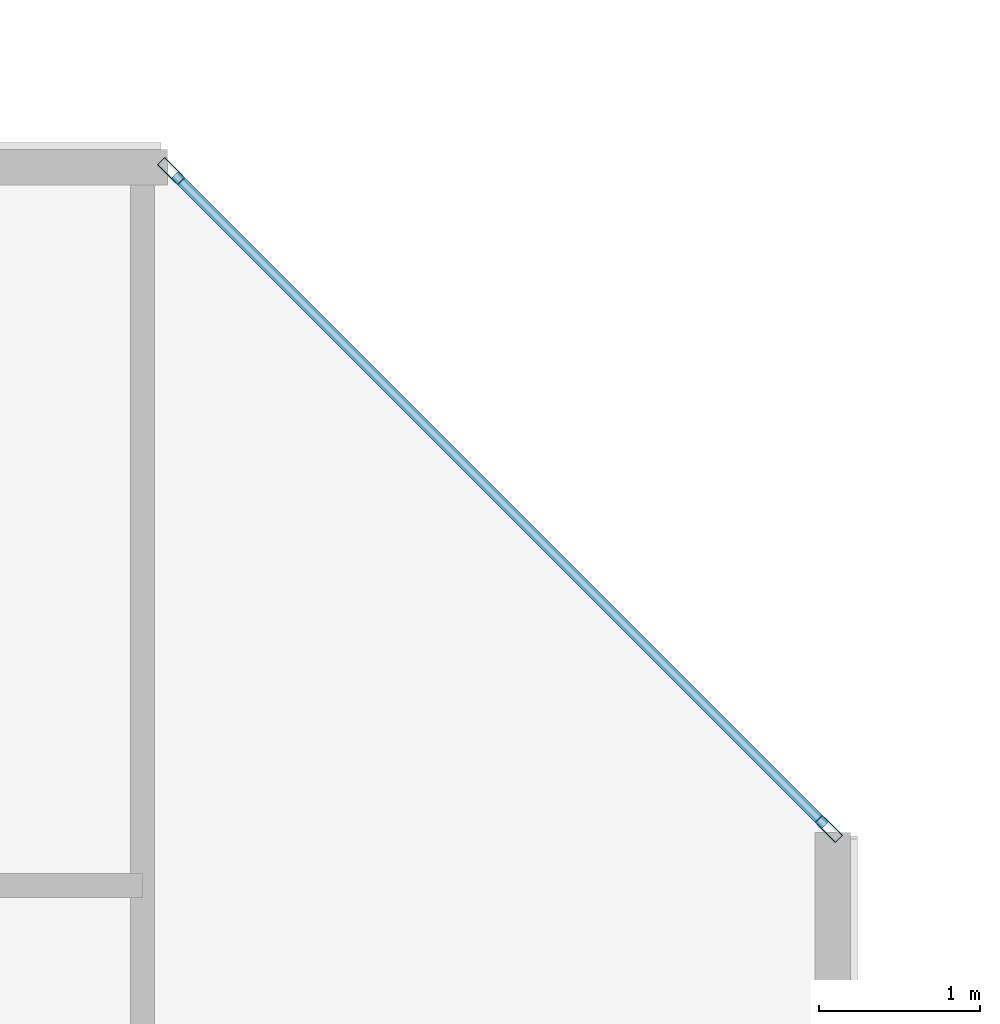
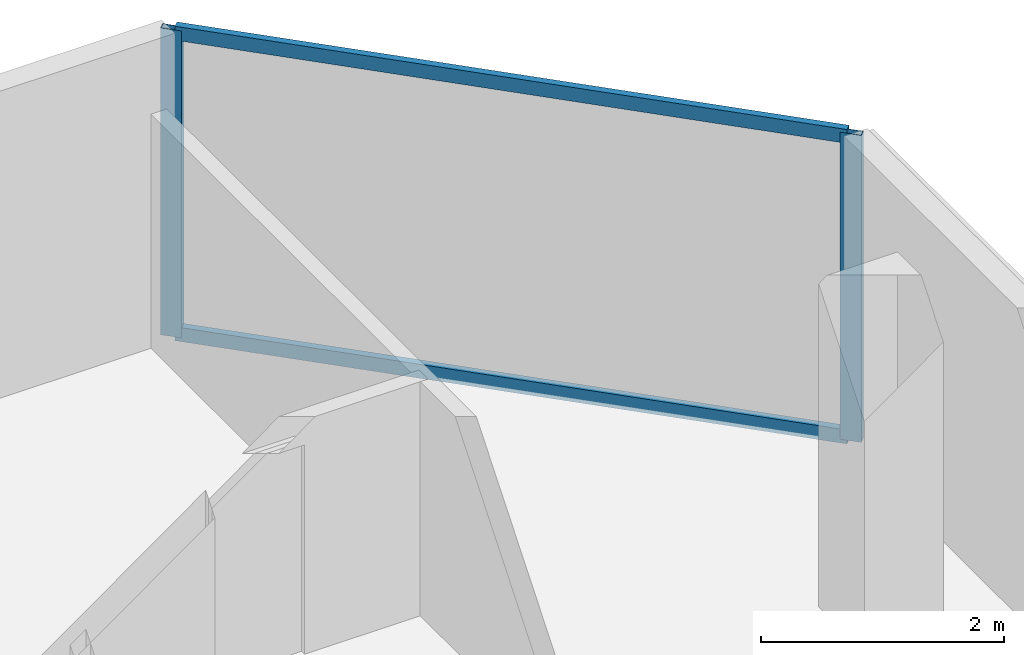
# One storey, part 16 of 28: 4 members, 1 element without a shape of its own.
"""IFC4 building model written with IfcOpenShell, lengths in metres."""

from ifc_helpers import new_model, si_unit, direction, frame, origin, origin_2d, place, context, subcontext, project, spatial, hollow_rectangle, extrude, material, layer, layer_set, material_profile, profile_set, type_object, element, aggregate, save


model = new_model("IFC4")

# Units and contexts
model_context = context("Model", 3, precision=1e-05, world=origin(), true_north=direction((0.0, 1.0)))
body_context = subcontext(model_context, "Body", "Model", "MODEL_VIEW")
ifc_project = project(units=[si_unit("LENGTHUNIT", "METRE"), si_unit("AREAUNIT", "SQUARE_METRE"), si_unit("VOLUMEUNIT", "CUBIC_METRE"), si_unit("PLANEANGLEUNIT", "RADIAN"), si_unit("MASSUNIT", "GRAM", prefix="KILO")], contexts=[model_context])

# Site, building, storey
site_placement = place(None, origin())
site = spatial("IfcSite", under=ifc_project, at=site_placement, CompositionType="ELEMENT")
building_placement = place(site_placement, origin())
building = spatial("IfcBuilding", under=site, at=building_placement, Name="Tanjung Sevakor Pilgrim Tower", CompositionType="ELEMENT")
storey_placement = place(building_placement, frame((0.0, 0.0, 222.75)))
storey = spatial("IfcBuildingStorey", under=building, at=storey_placement, Name="L62", CompositionType="ELEMENT", Elevation=222.75)

# Curtain wall, members
ifc_material_1 = material(Name="Aluminium 6063-T6 and Low-E Glass", Category="aluminium")
ifc_layer = layer(ifc_material_1, 0.179931640625)
ifc_layer_set = layer_set([ifc_layer], Name="CW-SYS-CHAM")
curtain_wall_type = type_object("IfcCurtainWallType", Name="CW-SYS-CHAM", PredefinedType="NOTDEFINED", material=ifc_layer_set)
curtain_wall_placement = place(storey_placement, origin())
curtain_wall = element("IfcCurtainWall", 1, at=curtain_wall_placement, inside=storey, type_object=curtain_wall_type, Name="L62 Curtain Wall CW-CHM-L62-MAIN-7", PredefinedType="NOTDEFINED")
ifc_material_2 = material(Name="Aluminium 6063-T6", Category="aluminium")
ifc_material_profile_1 = material_profile(ifc_material_2, hollow_rectangle(XDim=0.06494140625, YDim=0.179931640625, WallThickness=0.00390625, at=origin_2d()))
ifc_profile_set_1 = profile_set([ifc_material_profile_1], Name="Aluminium 6063-T6")
member_type_1 = type_object("IfcMemberType", Name="TYPE-CWM-1", PredefinedType="MULLION", material=ifc_profile_set_1)
member_1_placement = place(storey_placement, frame((99.467041015625, 50.927490234375, 0.0), z_axis=(0.0, 0.0, 1.0), x_axis=(-0.707106781187, -0.707106781187, 0.0)))
member_1 = element("IfcMember", 2, at=member_1_placement, type_object=member_type_1, Name="CW-CHM mullion 1", PredefinedType="MULLION", context=body_context, shape_type="SweptSolid", body=[
    extrude(hollow_rectangle(XDim=0.06494140625, YDim=0.179931640625, WallThickness=0.00390625, at=origin_2d()), origin(), (0.0, 0.0, 1.0), 3.080078125),
])
member_2_placement = place(storey_placement, frame((95.37744140625, 55.01708984375, 0.0), z_axis=(0.0, 0.0, 1.0), x_axis=(-0.707106781187, -0.707106781187, 0.0)))
member_2 = element("IfcMember", 3, at=member_2_placement, type_object=member_type_1, Name="CW-CHM mullion 2", PredefinedType="MULLION", context=body_context, shape_type="SweptSolid", body=[
    extrude(hollow_rectangle(XDim=0.06494140625, YDim=0.179931640625, WallThickness=0.00390625, at=origin_2d()), origin(), (0.0, 0.0, 1.0), 3.080078125),
])
ifc_material_3 = material(Name="Aluminium 6063-T6", Category="aluminium")
ifc_material_profile_2 = material_profile(ifc_material_3, hollow_rectangle(XDim=0.06494140625, YDim=0.139892578125, WallThickness=0.00390625, at=origin_2d()))
ifc_profile_set_2 = profile_set([ifc_material_profile_2], Name="Aluminium 6063-T6")
member_type_2 = type_object("IfcMemberType", Name="TYPE-CWT-1", PredefinedType="USERDEFINED", material=ifc_profile_set_2)
member_3_placement = place(storey_placement, frame((99.444091796875, 50.950439453125, 0.032470703125), z_axis=(-0.707106781187, 0.707106781187, 0.0), x_axis=(-0.707106781187, -0.707106781187, 0.0)))
member_3 = element("IfcMember", 4, at=member_3_placement, type_object=member_type_2, Name="CW-CHM transom 1.1", ObjectType="TRANSOM", PredefinedType="USERDEFINED", context=body_context, shape_type="SweptSolid", body=[
    extrude(hollow_rectangle(XDim=0.06494140625, YDim=0.139892578125, WallThickness=0.00390625, at=origin_2d()), origin(), (0.0, 0.0, 1.0), 5.71875),
])
member_4_placement = place(storey_placement, frame((99.444091796875, 50.950439453125, 3.047607421875), z_axis=(-0.707106781187, 0.707106781187, 0.0), x_axis=(-0.707106781187, -0.707106781187, 0.0)))
member_4 = element("IfcMember", 5, at=member_4_placement, type_object=member_type_2, Name="CW-CHM transom 1.2", ObjectType="TRANSOM", PredefinedType="USERDEFINED", context=body_context, shape_type="SweptSolid", body=[
    extrude(hollow_rectangle(XDim=0.06494140625, YDim=0.139892578125, WallThickness=0.00390625, at=origin_2d()), origin(), (0.0, 0.0, 1.0), 5.71875),
])
aggregate(curtain_wall, [member_1, member_2, member_3, member_4])

save(model, "model.ifc")
